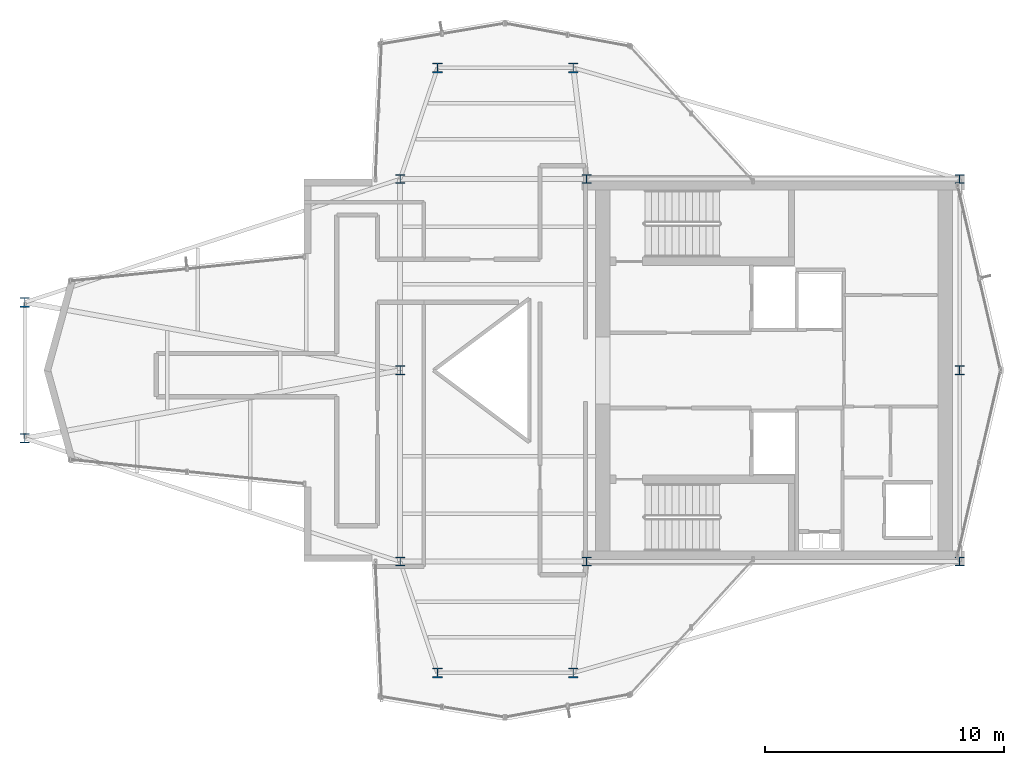
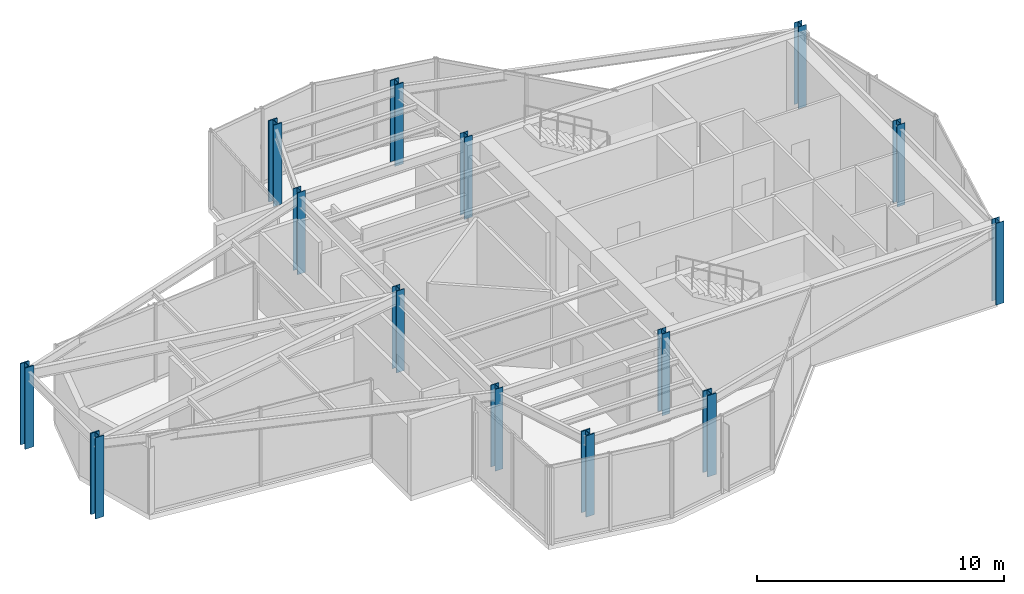
# One storey, part 1 of 14: 14 columns.
"""IFC4 building model written with IfcOpenShell, lengths in metres."""

from ifc_helpers import new_model, si_unit, direction, frame, origin, origin_2d, place, context, subcontext, project, spatial, i_section, extrude, material, material_profile, profile_set, type_object, element, save


model = new_model("IFC4")

# Units and contexts
model_context = context("Model", 3, precision=1e-05, world=origin(), true_north=direction((0.0, 1.0)))
body_context = subcontext(model_context, "Body", "Model", "MODEL_VIEW")
ifc_project = project(units=[si_unit("LENGTHUNIT", "METRE"), si_unit("AREAUNIT", "SQUARE_METRE"), si_unit("VOLUMEUNIT", "CUBIC_METRE"), si_unit("PLANEANGLEUNIT", "RADIAN"), si_unit("MASSUNIT", "GRAM", prefix="KILO")], contexts=[model_context])

# Site, building, storey
site_placement = place(None, origin())
site = spatial("IfcSite", under=ifc_project, at=site_placement, CompositionType="ELEMENT")
building_placement = place(site_placement, origin())
building = spatial("IfcBuilding", under=site, at=building_placement, Name="Veymaron Broadcast Tower", CompositionType="ELEMENT")
storey_placement = place(building_placement, frame((0.0, 0.0, 283.050048828125)))
storey = spatial("IfcBuildingStorey", under=building, at=storey_placement, Name="L66", CompositionType="ELEMENT", Elevation=283.050048828125)

# Columns
ifc_material_1 = material(Name="Structural steel ASTM A992 Gr 50", Category="steel")
ifc_material_profile_1 = material_profile(ifc_material_1, i_section(OverallWidth=0.373046875, OverallDepth=0.367919921875, WebThickness=0.014892578125, FlangeThickness=0.02392578125, at=origin_2d()), Name="W360X179")
ifc_profile_set_1 = profile_set([ifc_material_profile_1], Name="Structural steel ASTM A992 Gr 50")
column_type_1 = type_object("IfcColumnType", Name="COL-HC4", PredefinedType="COLUMN", material=ifc_profile_set_1)
for number, where, z_axis, x_axis, name in (
    (1, (31.199951171875, 16.0, 0.0), (0.0, 0.0, 1.0), (1.0, 0.0, 0.0), "L66 structural hub and core column"),
    (2, (31.199951171875, 24.0, 0.0), (0.0, 0.0, 1.0), (1.0, 0.0, 0.0), "L66 structural hub and core column"),
    (3, (31.199951171875, 32.0, 0.0), (0.0, 0.0, 1.0), (1.0, 0.0, 0.0), "L66 structural hub and core column"),
    (4, (39.0, 16.0, 0.0), (0.0, 0.0, 1.0), (1.0, 0.0, 0.0), "L66 structural hub and core column"),
    (5, (39.0, 32.0, 0.0), (0.0, 0.0, 1.0), (1.0, 0.0, 0.0), "L66 structural hub and core column"),
    (6, (54.60009765625, 16.0, 0.0), (0.0, 0.0, 1.0), (1.0, 0.0, 0.0), "L66 structural hub and core column"),
    (7, (54.60009765625, 24.0, 0.0), (0.0, 0.0, 1.0), (1.0, 0.0, 0.0), "L66 structural hub and core column"),
    (8, (54.60009765625, 32.0, 0.0), (0.0, 0.0, 1.0), (1.0, 0.0, 0.0), "L66 structural hub and core column"),
):
    element("IfcColumn", number, at=place(storey_placement, frame(where, z_axis=z_axis, x_axis=x_axis)), inside=storey, type_object=column_type_1, Name=name, PredefinedType="COLUMN", context=body_context, shape_type="SweptSolid", body=[
        extrude(i_section(OverallWidth=0.373046875, OverallDepth=0.367919921875, WebThickness=0.014892578125, FlangeThickness=0.02392578125, at=origin_2d()), origin(), (0.0, 0.0, 1.0), 4.0439453125),
    ])
ifc_material_2 = material(Name="Structural steel ASTM A913 Gr 65", Category="steel")
ifc_material_profile_2 = material_profile(ifc_material_2, i_section(OverallWidth=0.406005859375, OverallDepth=0.416015625, WebThickness=0.02978515625, FlangeThickness=0.048095703125, at=origin_2d()), Name="W360X382")
ifc_profile_set_2 = profile_set([ifc_material_profile_2], Name="Structural steel ASTM A913 Gr 65")
column_type_2 = type_object("IfcColumnType", Name="COL-MC4", PredefinedType="COLUMN", material=ifc_profile_set_2)
for number, where, z_axis, x_axis, name in (
    (9, (15.50048828125, 21.157958984375, 0.015869140625), (0.0, 0.0, 1.0), (1.0, 0.0, 0.0), "L66 Tapered Wing Mega Column"),
    (10, (15.50048828125, 26.842041015625, 0.015869140625), (0.0, 0.0, 1.0), (1.0, 0.0, 0.0), "L66 Tapered Wing Mega Column"),
    (11, (32.762451171875, 36.652099609375, 0.015869140625), (0.0, 0.0, 1.0), (1.0, 0.0, 0.0), "L66 Tapered Wing Mega Column"),
    (12, (38.44189453125, 36.652099609375, 0.015869140625), (0.0, 0.0, 1.0), (1.0, 0.0, 0.0), "L66 Tapered Wing Mega Column"),
    (13, (32.762451171875, 11.347900390625, 0.015869140625), (0.0, 0.0, 1.0), (1.0, 0.0, 0.0), "L66 Tapered Wing Mega Column"),
    (14, (38.44189453125, 11.347900390625, 0.015869140625), (0.0, 0.0, 1.0), (1.0, 0.0, 0.0), "L66 Tapered Wing Mega Column"),
):
    element("IfcColumn", number, at=place(storey_placement, frame(where, z_axis=z_axis, x_axis=x_axis)), inside=storey, type_object=column_type_2, Name=name, PredefinedType="COLUMN", context=body_context, shape_type="SweptSolid", body=[
        extrude(i_section(OverallWidth=0.406005859375, OverallDepth=0.416015625, WebThickness=0.02978515625, FlangeThickness=0.048095703125, at=origin_2d()), origin(), (0.0, 0.0, 1.0), 4.01806640625),
    ])

save(model, "model.ifc")
